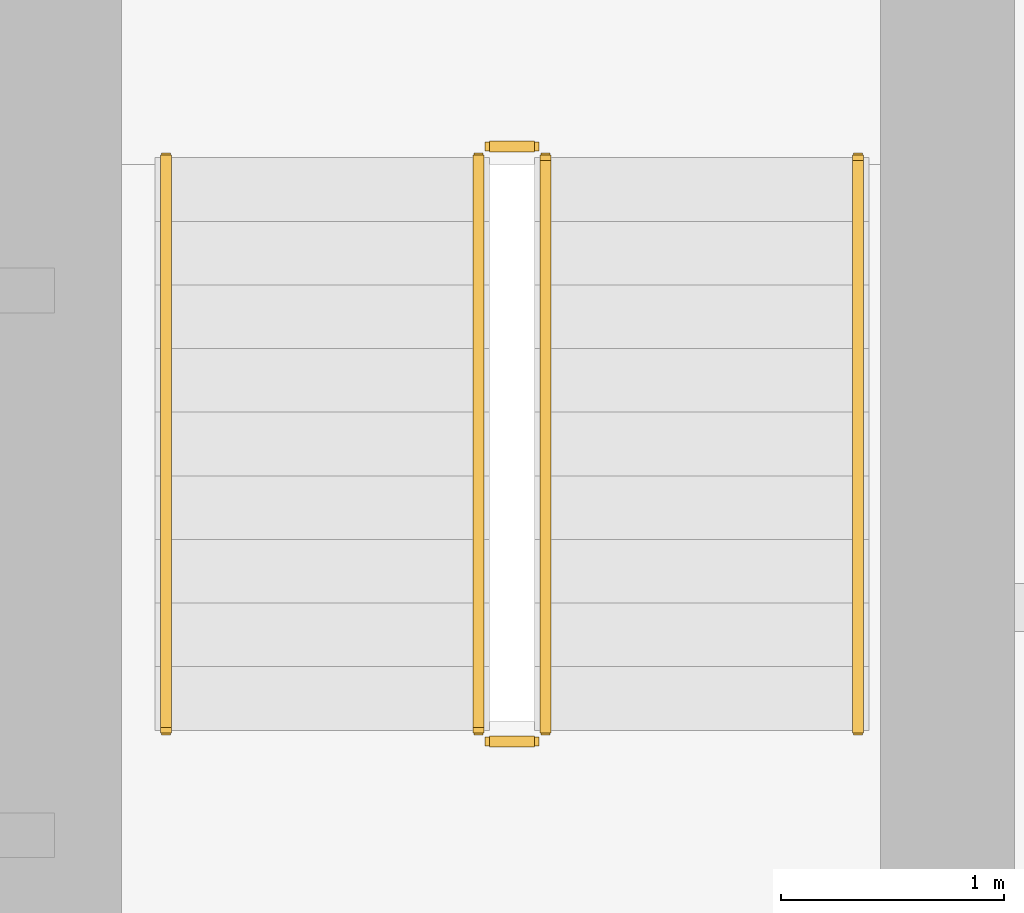
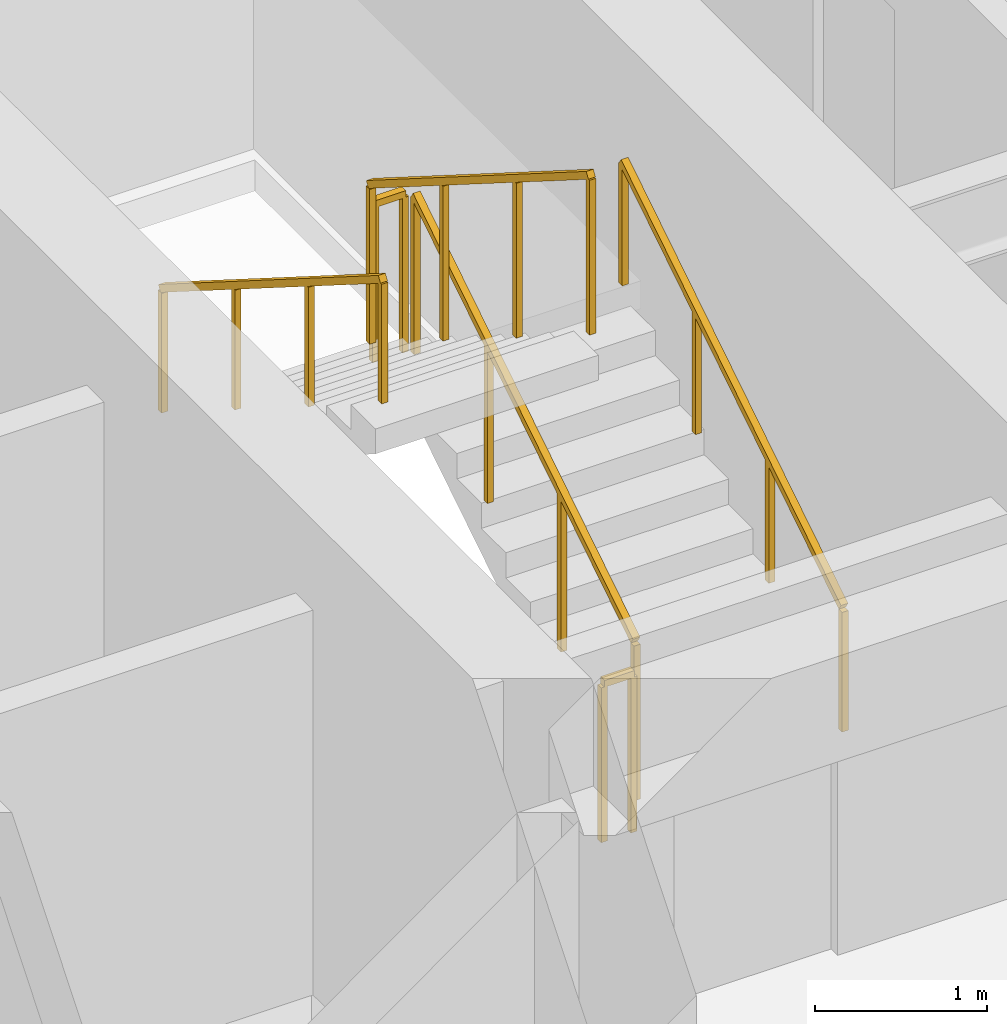
# One storey, part 26 of 26: 6 railings.
"""IFC4 building model written with IfcOpenShell, lengths in metres."""

from ifc_helpers import new_model, si_unit, direction, frame, origin, origin_2d, place, context, subcontext, project, spatial, rectangle, extrude, material, type_object, element, save


model = new_model("IFC4")

# Units and contexts
model_context = context("Model", 3, precision=1e-05, world=origin(), true_north=direction((0.0, 1.0)))
body_context = subcontext(model_context, "Body", "Model", "MODEL_VIEW")
ifc_project = project(units=[si_unit("LENGTHUNIT", "METRE"), si_unit("AREAUNIT", "SQUARE_METRE"), si_unit("VOLUMEUNIT", "CUBIC_METRE"), si_unit("PLANEANGLEUNIT", "RADIAN"), si_unit("MASSUNIT", "GRAM", prefix="KILO")], contexts=[model_context])

# Site, building, storey
site_placement = place(None, origin())
site = spatial("IfcSite", under=ifc_project, at=site_placement, CompositionType="ELEMENT")
building_placement = place(site_placement, origin())
building = spatial("IfcBuilding", under=site, at=building_placement, Name="Sarneth Arch Tower", CompositionType="ELEMENT")
storey_placement = place(building_placement, frame((0.0, 0.0, 57.0)))
storey = spatial("IfcBuildingStorey", under=building, at=storey_placement, Name="L13", CompositionType="ELEMENT", Elevation=57.0)

# Railings
ifc_material_1 = material(Name="Brushed Stainless Steel 304 tubular handrail", Category="steel")
railing_type_1 = type_object("IfcRailingType", Name="RAIL-HANDRAIL-900", PredefinedType="HANDRAIL", material=ifc_material_1)
railing_1_placement = place(storey_placement, frame((58.60009765625, 41.449951171875, 0.179931640625)))
element("IfcRailing", 1, at=railing_1_placement, inside=storey, type_object=railing_type_1, Name="L13 ST-2 stair handrail 1", PredefinedType="HANDRAIL", context=body_context, shape_type="SweptSolid", body=[
    extrude(rectangle(XDim=0.048095703125, YDim=0.048095703125, at=origin_2d()), frame((0.0, 0.0, 0.8759765625), z_axis=(0.0, 0.845465955043, 0.534029323973), x_axis=(-1.0, 0.0, 0.0)), (0.0, 0.0, 1.0), 3.03369140625),
    extrude(rectangle(XDim=0.0419921875, YDim=0.0419921875, at=origin_2d()), origin(), (0.0, 0.0, 1.0), 0.851806640625),
    extrude(rectangle(XDim=0.0419921875, YDim=0.0419921875, at=origin_2d()), frame((0.0, 0.85498046875, 0.5400390625)), (0.0, 0.0, 1.0), 0.851806640625),
    extrude(rectangle(XDim=0.0419921875, YDim=0.0419921875, at=origin_2d()), frame((0.0, 1.7099609375, 1.080078125)), (0.0, 0.0, 1.0), 0.851806640625),
    extrude(rectangle(XDim=0.0419921875, YDim=0.0419921875, at=origin_2d()), frame((0.0, 2.56494140625, 1.6201171875)), (0.0, 0.0, 1.0), 0.851806640625),
])
railing_2_placement = place(storey_placement, frame((55.5, 44.014892578125, 1.97998046875)))
element("IfcRailing", 2, at=railing_2_placement, inside=storey, type_object=railing_type_1, Name="L13 ST-2 stair handrail 2", PredefinedType="HANDRAIL", context=body_context, shape_type="SweptSolid", body=[
    extrude(rectangle(XDim=0.048095703125, YDim=0.048095703125, at=origin_2d()), frame((0.0, 0.0, 0.8759765625), z_axis=(0.0, -0.845465955043, 0.534029323973), x_axis=(1.0, 0.0, 0.0)), (0.0, 0.0, 1.0), 3.03369140625),
    extrude(rectangle(XDim=0.0419921875, YDim=0.0419921875, at=origin_2d()), origin(), (0.0, 0.0, 1.0), 0.851806640625),
    extrude(rectangle(XDim=0.0419921875, YDim=0.0419921875, at=origin_2d()), frame((0.0, -0.85498046875, 0.5400390625)), (0.0, 0.0, 1.0), 0.851806640625),
    extrude(rectangle(XDim=0.0419921875, YDim=0.0419921875, at=origin_2d()), frame((0.0, -1.7099609375, 1.080078125)), (0.0, 0.0, 1.0), 0.851806640625),
    extrude(rectangle(XDim=0.0419921875, YDim=0.0419921875, at=origin_2d()), frame((0.0, -2.56494140625, 1.6201171875)), (0.0, 0.0, 1.0), 0.851806640625),
])
ifc_material_2 = material(Name="Painted Steel S275 stair well guard", Category="steel")
railing_type_2 = type_object("IfcRailingType", Name="RAIL-STAIR-GUARD", PredefinedType="GUARDRAIL", material=ifc_material_2)
railing_3_placement = place(storey_placement, frame((57.199951171875, 41.449951171875, 0.179931640625)))
element("IfcRailing", 3, at=railing_3_placement, inside=storey, type_object=railing_type_2, Name="L13 ST-2 stair guard 1", PredefinedType="GUARDRAIL", context=body_context, shape_type="SweptSolid", body=[
    extrude(rectangle(XDim=0.048095703125, YDim=0.048095703125, at=origin_2d()), frame((0.0, 0.0, 1.1259765625), z_axis=(0.0, 0.845465955043, 0.534029323973), x_axis=(-1.0, 0.0, 0.0)), (0.0, 0.0, 1.0), 3.03369140625),
    extrude(rectangle(XDim=0.0419921875, YDim=0.0419921875, at=origin_2d()), origin(), (0.0, 0.0, 1.0), 1.101806640625),
    extrude(rectangle(XDim=0.0419921875, YDim=0.0419921875, at=origin_2d()), frame((0.0, 0.85498046875, 0.5400390625)), (0.0, 0.0, 1.0), 1.101806640625),
    extrude(rectangle(XDim=0.0419921875, YDim=0.0419921875, at=origin_2d()), frame((0.0, 1.7099609375, 1.080078125)), (0.0, 0.0, 1.0), 1.101806640625),
    extrude(rectangle(XDim=0.0419921875, YDim=0.0419921875, at=origin_2d()), frame((0.0, 2.56494140625, 1.6201171875)), (0.0, 0.0, 1.0), 1.101806640625),
])
railing_4_placement = place(storey_placement, frame((57.14990234375, 44.06494140625, 1.800048828125)))
element("IfcRailing", 4, at=railing_4_placement, inside=storey, type_object=railing_type_2, Name="L13 ST-2 stair guard 2", PredefinedType="GUARDRAIL", context=body_context, shape_type="SweptSolid", body=[
    extrude(rectangle(XDim=0.048095703125, YDim=0.048095703125, at=origin_2d()), frame((0.0, 0.0, 1.1259765625), z_axis=(-1.0, 0.0, 0.0), x_axis=(0.0, -1.0, 0.0)), (0.0, 0.0, 1.0), 0.199951171875),
    extrude(rectangle(XDim=0.0419921875, YDim=0.0419921875, at=origin_2d()), origin(), (0.0, 0.0, 1.0), 1.101806640625),
    extrude(rectangle(XDim=0.0419921875, YDim=0.0419921875, at=origin_2d()), frame((-0.199951171875, 0.0, 0.0)), (0.0, 0.0, 1.0), 1.101806640625),
])
railing_5_placement = place(storey_placement, frame((56.89990234375, 44.014892578125, 1.97998046875)))
element("IfcRailing", 5, at=railing_5_placement, inside=storey, type_object=railing_type_2, Name="L13 ST-2 stair guard 3", PredefinedType="GUARDRAIL", context=body_context, shape_type="SweptSolid", body=[
    extrude(rectangle(XDim=0.048095703125, YDim=0.048095703125, at=origin_2d()), frame((0.0, 0.0, 1.1259765625), z_axis=(0.0, -0.845465955043, 0.534029323973), x_axis=(1.0, 0.0, 0.0)), (0.0, 0.0, 1.0), 3.03369140625),
    extrude(rectangle(XDim=0.0419921875, YDim=0.0419921875, at=origin_2d()), origin(), (0.0, 0.0, 1.0), 1.101806640625),
    extrude(rectangle(XDim=0.0419921875, YDim=0.0419921875, at=origin_2d()), frame((0.0, -0.85498046875, 0.5400390625)), (0.0, 0.0, 1.0), 1.101806640625),
    extrude(rectangle(XDim=0.0419921875, YDim=0.0419921875, at=origin_2d()), frame((0.0, -1.7099609375, 1.080078125)), (0.0, 0.0, 1.0), 1.101806640625),
    extrude(rectangle(XDim=0.0419921875, YDim=0.0419921875, at=origin_2d()), frame((0.0, -2.56494140625, 1.6201171875)), (0.0, 0.0, 1.0), 1.101806640625),
])
railing_6_placement = place(storey_placement, frame((57.14990234375, 41.39990234375, 0.0)))
element("IfcRailing", 6, at=railing_6_placement, inside=storey, type_object=railing_type_2, Name="L13 ST-2 stair guard 4", PredefinedType="GUARDRAIL", context=body_context, shape_type="SweptSolid", body=[
    extrude(rectangle(XDim=0.048095703125, YDim=0.048095703125, at=origin_2d()), frame((0.0, 0.0, 1.1259765625), z_axis=(-1.0, 0.0, 0.0), x_axis=(0.0, -1.0, 0.0)), (0.0, 0.0, 1.0), 0.199951171875),
    extrude(rectangle(XDim=0.0419921875, YDim=0.0419921875, at=origin_2d()), origin(), (0.0, 0.0, 1.0), 1.101806640625),
    extrude(rectangle(XDim=0.0419921875, YDim=0.0419921875, at=origin_2d()), frame((-0.199951171875, 0.0, 0.0)), (0.0, 0.0, 1.0), 1.101806640625),
])

save(model, "model.ifc")
